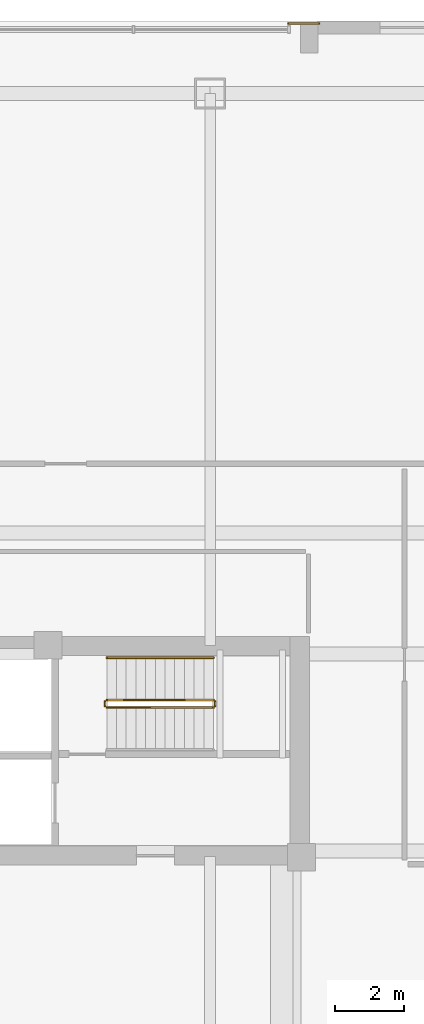
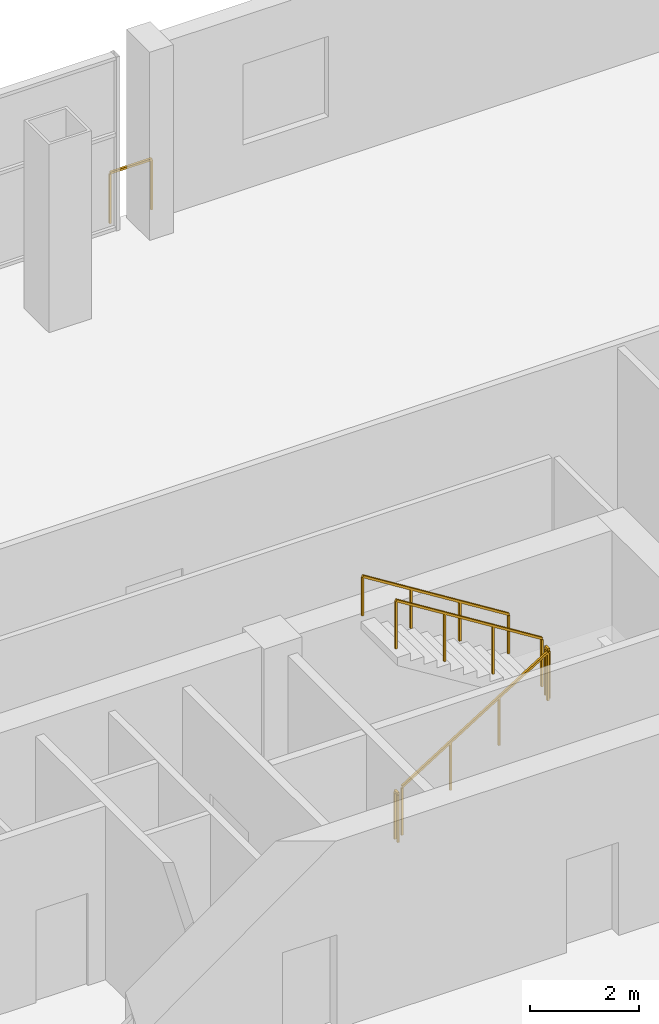
# One storey, part 20 of 21: 6 railings.
"""IFC4 building model written with IfcOpenShell, lengths in metres."""

import ifcopenshell
import ifcopenshell.guid

model = None  # the IFC model being written
_history = None  # IfcOwnerHistory: only IFC2X3 demands one
_inside = {}  # id of a spatial element -> (the spatial element, [elements in it])
_under = {}  # id of a project, library or spatial element -> (it, [spatial elements below it])
_declared = {}  # id of a project -> (the project, [libraries it declares])
_typed = {}  # id of a type object -> (the type object, [elements of that type])
_made_of = {}  # id of a material, layer set ... -> (it, [elements and type objects made of it])


def new_model(schema):
    """Start an empty IFC model of exactly this schema.

    Asked for "IFC4X3", IfcOpenShell would pick the latest addendum, in which some entities
    have other attributes; the version numbers below select the first issue.
    IFC2X3 requires an IfcOwnerHistory on every rooted entity: one is made here for all.
    """
    global model, _history
    if schema == "IFC4X3":
        model = ifcopenshell.file(schema_version=(4, 3, 0, 0))
    else:
        model = ifcopenshell.file(schema=schema)
    _inside.clear()
    _under.clear()
    _declared.clear()
    _typed.clear()
    _made_of.clear()
    _history = None
    if model.schema == "IFC2X3":
        org = make("IfcOrganization", Name="unknown")
        user = make(
            "IfcPersonAndOrganization",
            ThePerson=make("IfcPerson", FamilyName="unknown"),
            TheOrganization=org,
        )
        app = make(
            "IfcApplication",
            ApplicationDeveloper=org,
            Version="unknown",
            ApplicationFullName="unknown",
            ApplicationIdentifier="unknown",
        )
        _history = make(
            "IfcOwnerHistory",
            OwningUser=user,
            OwningApplication=app,
            ChangeAction="ADDED",
            CreationDate=0,
        )
    return model


def make(cls, **values):
    """One entity of the class cls with the attributes given. An attribute that is None is left unset."""
    return model.create_entity(
        cls, **{name: value for name, value in values.items() if value is not None}
    )


def rooted(cls, **values):
    """An entity with a GlobalId (a new one), such as an element, a storey or a relation."""
    return make(cls, GlobalId=ifcopenshell.guid.new(), OwnerHistory=_history, **values)


def si_unit(unit_type, name, prefix=None):
    """IfcSIUnit, for example si_unit("LENGTHUNIT", "METRE", prefix="MILLI")."""
    return make("IfcSIUnit", UnitType=unit_type, Prefix=prefix, Name=name)


def assignment(units):
    """IfcUnitAssignment: the units of a project."""
    return None if units is None else make("IfcUnitAssignment", Units=units)


def point(xyz):
    """IfcCartesianPoint."""
    return None if xyz is None else make("IfcCartesianPoint", Coordinates=xyz)


def direction(xyz):
    """IfcDirection."""
    return None if xyz is None else make("IfcDirection", DirectionRatios=xyz)


def frame(location, z_axis=None, x_axis=None):
    """IfcAxis2Placement3D, a coordinate frame: its origin and axes. An axis left out is left unset."""
    return make(
        "IfcAxis2Placement3D",
        Location=point(location),
        Axis=direction(z_axis),
        RefDirection=direction(x_axis),
    )


def frame_2d(location, x_axis=None):
    """IfcAxis2Placement2D, a coordinate frame in the plane: its origin and x axis."""
    return make(
        "IfcAxis2Placement2D", Location=point(location), RefDirection=direction(x_axis)
    )


def origin():
    """The frame at (0, 0, 0) with its axes left unset."""
    return frame((0.0, 0.0, 0.0))


def origin_2d():
    """The frame at (0, 0) in the plane with its x axis left unset."""
    return frame_2d((0.0, 0.0))


def place(relative_to, where):
    """IfcLocalPlacement: puts the frame where relative to a parent placement (None: the world)."""
    return make(
        "IfcLocalPlacement", PlacementRelTo=relative_to, RelativePlacement=where
    )


def context(
    kind, dimensions, precision=None, world=None, true_north=None, identifier=None
):
    """IfcGeometricRepresentationContext, for example the 3D "Model" context."""
    return make(
        "IfcGeometricRepresentationContext",
        ContextIdentifier=identifier,
        ContextType=kind,
        CoordinateSpaceDimension=dimensions,
        Precision=precision,
        WorldCoordinateSystem=world,
        TrueNorth=true_north,
    )


def subcontext(parent, identifier, kind, view, scale=None):
    """IfcGeometricRepresentationSubContext, for example "Body" below "Model"."""
    return make(
        "IfcGeometricRepresentationSubContext",
        ContextIdentifier=identifier,
        ContextType=kind,
        ParentContext=parent,
        TargetScale=scale,
        TargetView=view,
    )


def project(units=None, contexts=None):
    """IfcProject with its units and contexts."""
    return rooted(
        "IfcProject",
        Name="project",
        RepresentationContexts=contexts,
        UnitsInContext=assignment(units),
    )


def spatial(cls, under=None, at=None, **own):
    """A site, building, storey or space (cls), placed at a placement, below another one or the project."""
    s = rooted(cls, ObjectPlacement=at, **own)
    if under is not None:
        _under.setdefault(under.id(), (under, []))[1].append(s)
    return s


def profile(cls, at=None, kind="AREA", **sizes):
    """A parametric profile (cls). Its sizes go by their IFC names, for example OverallWidth=200.0."""
    return make(cls, ProfileType=kind, Position=at, **sizes)


def rectangle(**sizes):
    """IfcRectangleProfileDef."""
    return profile("IfcRectangleProfileDef", **sizes)


def extrude(swept, where, along, depth):
    """IfcExtrudedAreaSolid: the profile swept, set in the frame where, extruded along a direction by depth."""
    return make(
        "IfcExtrudedAreaSolid",
        SweptArea=swept,
        Position=where,
        ExtrudedDirection=direction(along),
        Depth=depth,
    )


def shape(context_of_items, identifier, shape_type, items):
    """IfcShapeRepresentation: the items that make up one representation, for example the "Body"."""
    return make(
        "IfcShapeRepresentation",
        ContextOfItems=context_of_items,
        RepresentationIdentifier=identifier,
        RepresentationType=shape_type,
        Items=items,
    )


def material(Name=None, Category=None):
    """IfcMaterial."""
    return make("IfcMaterial", Name=Name, Category=Category)


def made_of(thing, what):
    """Note that an element or type object is made of a material, layer set ...; save() writes the relation."""
    if what is not None:
        _made_of.setdefault(what.id(), (what, []))[1].append(thing)
    return thing


def type_object(cls, material=None, **own):
    """A type object (cls), such as IfcWallType, which elements share."""
    return made_of(rooted(cls, **own), material)


def element(
    cls,
    number,
    at=None,
    inside=None,
    cuts=None,
    type_object=None,
    material=None,
    context=None,
    identifier="Body",
    shape_type=None,
    held_by="IfcProductDefinitionShape",
    body=None,
    shapes=None,
    **own,
):
    """One element of the class cls, such as IfcWall. Its Tag is "e" and its number.

    at: its placement. inside: the storey or other place that contains it. cuts: it is an
    opening in that element (IfcRelVoidsElement). A single representation is given by context,
    identifier, shape_type and body (its items); several are given by shapes. held_by: the class
    of the entity that holds the representations. save() writes the other relations.
    """
    e = rooted(cls, Tag="e%d" % number, ObjectPlacement=at, **own)
    if body is not None:
        shapes = [shape(context, identifier, shape_type, body)]
    if shapes is not None:
        e.Representation = make(held_by, Representations=shapes)
    if inside is not None:
        _inside.setdefault(inside.id(), (inside, []))[1].append(e)
    if cuts is not None:
        rooted(
            "IfcRelVoidsElement", RelatingBuildingElement=cuts, RelatedOpeningElement=e
        )
    if type_object is not None:
        _typed.setdefault(type_object.id(), (type_object, []))[1].append(e)
    return made_of(e, material)


def aggregate(whole, parts):
    """IfcRelAggregates: a whole, such as a stair, and the parts it consists of."""
    return rooted("IfcRelAggregates", RelatingObject=whole, RelatedObjects=parts)


def save(model, path):
    """Write the relations noted so far, then the file.

    IfcRelAggregates (storeys below a building ...), IfcRelContainedInSpatialStructure (elements
    in a storey), IfcRelDefinesByType, IfcRelAssociatesMaterial and IfcRelDeclares: one each for
    every whole, place, type object, material and project.
    """
    for whole, parts in _under.values():
        aggregate(whole, parts)
    for where, things in _inside.values():
        rooted(
            "IfcRelContainedInSpatialStructure",
            RelatedElements=things,
            RelatingStructure=where,
        )
    for kind, things in _typed.values():
        rooted("IfcRelDefinesByType", RelatedObjects=things, RelatingType=kind)
    for what, things in _made_of.values():
        rooted("IfcRelAssociatesMaterial", RelatedObjects=things, RelatingMaterial=what)
    for by, libraries in _declared.values():
        rooted("IfcRelDeclares", RelatingContext=by, RelatedDefinitions=libraries)
    model.write(path)


model = new_model("IFC4")

# Units and contexts
model_context = context("Model", 3, precision=1e-05, world=origin(), true_north=direction((0.0, 1.0)))
body_context = subcontext(model_context, "Body", "Model", "MODEL_VIEW")
ifc_project = project(units=[si_unit("LENGTHUNIT", "METRE"), si_unit("AREAUNIT", "SQUARE_METRE"), si_unit("VOLUMEUNIT", "CUBIC_METRE"), si_unit("PLANEANGLEUNIT", "RADIAN"), si_unit("MASSUNIT", "GRAM", prefix="KILO")], contexts=[model_context])

# Site, building, storey
site_placement = place(None, origin())
site = spatial("IfcSite", under=ifc_project, at=site_placement, CompositionType="ELEMENT")
building_placement = place(site_placement, origin())
building = spatial("IfcBuilding", under=site, at=building_placement, Name="Qhalaya Broadcast Tower", CompositionType="ELEMENT")
storey_placement = place(building_placement, frame((0.0, 0.0, 5.10009765625)))
storey = spatial("IfcBuildingStorey", under=building, at=storey_placement, Name="L01", CompositionType="ELEMENT", Elevation=5.10009765625)

# Railings
ifc_material = material(Name="Powder-Coated Galvanised Steel", Category="steel")
railing_type_1 = type_object("IfcRailingType", Name="Stair Wall Handrail 900", PredefinedType="HANDRAIL", material=ifc_material)
railing_1_placement = place(storey_placement, frame((6.830078125, 9.590087890625, 2.27490234375)))
element("IfcRailing", 1, at=railing_1_placement, inside=storey, type_object=railing_type_1, Name="L01 ST-1 Stair Handrail 2", PredefinedType="HANDRAIL", context=body_context, shape_type="SweptSolid", body=[
    extrude(rectangle(XDim=0.048095703125, YDim=0.048095703125, at=origin_2d()), frame((0.0, 0.0, 0.8759765625), z_axis=(-0.847998304005, 0.0, 0.529998940003), x_axis=(0.0, -1.0, 0.0)), (0.0, 0.0, 1.0), 3.632080078125),
    extrude(rectangle(XDim=0.0419921875, YDim=0.0419921875, at=origin_2d()), origin(), (0.0, 0.0, 1.0), 0.849853515625),
    extrude(rectangle(XDim=0.0419921875, YDim=0.0419921875, at=origin_2d()), frame((-1.026611328125, 0.0, 0.6416015625)), (0.0, 0.0, 1.0), 0.849853515625),
    extrude(rectangle(XDim=0.0419921875, YDim=0.0419921875, at=origin_2d()), frame((-2.053466796875, 0.0, 1.283447265625)), (0.0, 0.0, 1.0), 0.849853515625),
    extrude(rectangle(XDim=0.0419921875, YDim=0.0419921875, at=origin_2d()), frame((-3.080078125, 0.0, 1.925048828125)), (0.0, 0.0, 1.0), 0.849853515625),
])
railing_type_2 = type_object("IfcRailingType", Name="Stair Well & Landing Guardrail 1100", PredefinedType="GUARDRAIL", material=ifc_material)
railing_2_placement = place(storey_placement, frame((3.75, 8.14990234375, 0.1748046875)))
element("IfcRailing", 2, at=railing_2_placement, inside=storey, type_object=railing_type_2, Name="L01 ST-1 Stair Guard 1", PredefinedType="GUARDRAIL", context=body_context, shape_type="SweptSolid", body=[
    extrude(rectangle(XDim=0.048095703125, YDim=0.048095703125, at=origin_2d()), frame((0.0, 0.0, 1.076171875), z_axis=(0.847998304005, 0.0, 0.529998940003), x_axis=(0.0, 1.0, 0.0)), (0.0, 0.0, 1.0), 3.632080078125),
    extrude(rectangle(XDim=0.0419921875, YDim=0.0419921875, at=origin_2d()), origin(), (0.0, 0.0, 1.0), 1.050048828125),
    extrude(rectangle(XDim=0.0419921875, YDim=0.0419921875, at=origin_2d()), frame((1.026611328125, 0.0, 0.6416015625)), (0.0, 0.0, 1.0), 1.050048828125),
    extrude(rectangle(XDim=0.0419921875, YDim=0.0419921875, at=origin_2d()), frame((2.053466796875, 0.0, 1.283447265625)), (0.0, 0.0, 1.0), 1.050048828125),
    extrude(rectangle(XDim=0.0419921875, YDim=0.0419921875, at=origin_2d()), frame((3.080078125, 0.0, 1.925048828125)), (0.0, 0.0, 1.0), 1.050048828125),
])
railing_3_placement = place(storey_placement, frame((6.8798828125, 8.199951171875, 2.099853515625)))
element("IfcRailing", 3, at=railing_3_placement, inside=storey, type_object=railing_type_2, Name="L01 ST-1 Stair Guard 2", PredefinedType="GUARDRAIL", context=body_context, shape_type="SweptSolid", body=[
    extrude(rectangle(XDim=0.048095703125, YDim=0.048095703125, at=origin_2d()), frame((0.0, 0.0, 1.076171875), z_axis=(0.0, 1.0, 0.0), x_axis=(-1.0, 0.0, 0.0)), (0.0, 0.0, 1.0), 0.1201171875),
    extrude(rectangle(XDim=0.0419921875, YDim=0.0419921875, at=origin_2d()), origin(), (0.0, 0.0, 1.0), 1.050048828125),
    extrude(rectangle(XDim=0.0419921875, YDim=0.0419921875, at=origin_2d()), frame((0.0, 0.1201171875, 0.0)), (0.0, 0.0, 1.0), 1.050048828125),
])
railing_4_placement = place(storey_placement, frame((6.830078125, 8.3701171875, 2.27490234375)))
element("IfcRailing", 4, at=railing_4_placement, inside=storey, type_object=railing_type_2, Name="L01 ST-1 Stair Guard 3", PredefinedType="GUARDRAIL", context=body_context, shape_type="SweptSolid", body=[
    extrude(rectangle(XDim=0.048095703125, YDim=0.048095703125, at=origin_2d()), frame((0.0, 0.0, 1.076171875), z_axis=(-0.847998304005, 0.0, 0.529998940003), x_axis=(0.0, -1.0, 0.0)), (0.0, 0.0, 1.0), 3.632080078125),
    extrude(rectangle(XDim=0.0419921875, YDim=0.0419921875, at=origin_2d()), origin(), (0.0, 0.0, 1.0), 1.050048828125),
    extrude(rectangle(XDim=0.0419921875, YDim=0.0419921875, at=origin_2d()), frame((-1.026611328125, 0.0, 0.6416015625)), (0.0, 0.0, 1.0), 1.050048828125),
    extrude(rectangle(XDim=0.0419921875, YDim=0.0419921875, at=origin_2d()), frame((-2.053466796875, 0.0, 1.283447265625)), (0.0, 0.0, 1.0), 1.050048828125),
    extrude(rectangle(XDim=0.0419921875, YDim=0.0419921875, at=origin_2d()), frame((-3.080078125, 0.0, 1.925048828125)), (0.0, 0.0, 1.0), 1.050048828125),
])
railing_5_placement = place(storey_placement, frame((3.699951171875, 8.199951171875, 0.0)))
element("IfcRailing", 5, at=railing_5_placement, inside=storey, type_object=railing_type_2, Name="L01 ST-1 Stair Guard 4", PredefinedType="GUARDRAIL", context=body_context, shape_type="SweptSolid", body=[
    extrude(rectangle(XDim=0.048095703125, YDim=0.048095703125, at=origin_2d()), frame((0.0, 0.0, 1.076171875), z_axis=(0.0, 1.0, 0.0), x_axis=(-1.0, 0.0, 0.0)), (0.0, 0.0, 1.0), 0.1201171875),
    extrude(rectangle(XDim=0.0419921875, YDim=0.0419921875, at=origin_2d()), origin(), (0.0, 0.0, 1.0), 1.050048828125),
    extrude(rectangle(XDim=0.0419921875, YDim=0.0419921875, at=origin_2d()), frame((0.0, 0.1201171875, 0.0)), (0.0, 0.0, 1.0), 1.050048828125),
])
railing_type_3 = type_object("IfcRailingType", Name="Terrace, Sky-Pool & Lookout Glass Balustrade 1150", PredefinedType="BALUSTRADE", material=ifc_material)
railing_6_placement = place(storey_placement, frame((9.0, 27.919921875, 0.0)))
element("IfcRailing", 6, at=railing_6_placement, inside=storey, type_object=railing_type_3, Name="L01 Concourse Portal Shoulder Safety Balustrade PNE", PredefinedType="BALUSTRADE", context=body_context, shape_type="SweptSolid", body=[
    extrude(rectangle(XDim=0.048095703125, YDim=0.048095703125, at=origin_2d()), frame((0.0, 0.0, 1.1259765625), z_axis=(1.0, 0.0, 0.0), x_axis=(0.0, 1.0, 0.0)), (0.0, 0.0, 1.0), 0.8798828125),
    extrude(rectangle(XDim=0.0419921875, YDim=0.0419921875, at=origin_2d()), origin(), (0.0, 0.0, 1.0), 1.099853515625),
    extrude(rectangle(XDim=0.0419921875, YDim=0.0419921875, at=origin_2d()), frame((0.8798828125, 0.0, 0.0)), (0.0, 0.0, 1.0), 1.099853515625),
])

save(model, "model.ifc")
